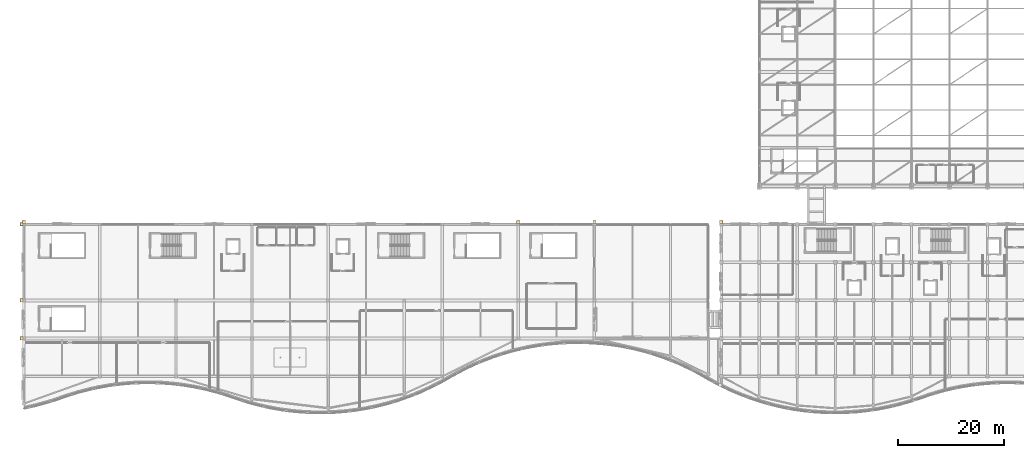
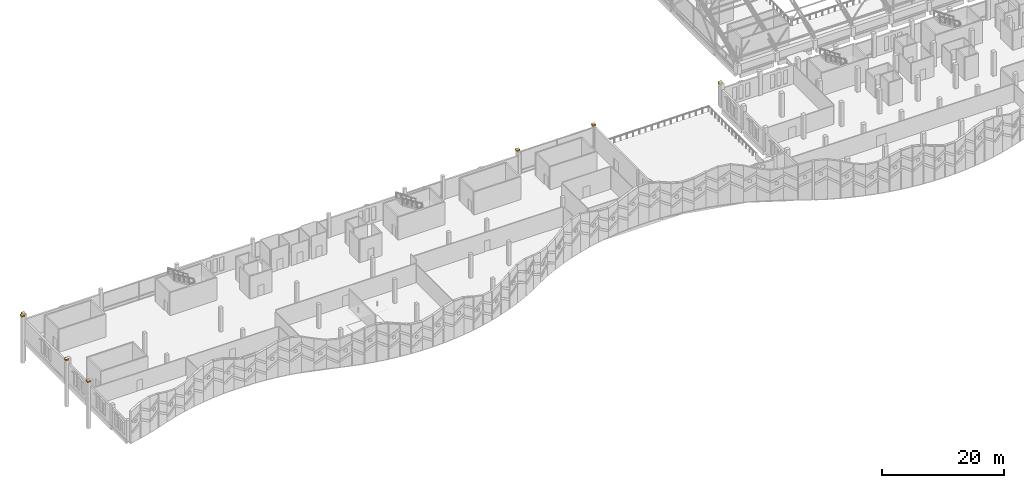
# One storey, part 116 of 116: 7 coverings.
"""IFC4 building model written with IfcOpenShell, lengths in metres."""

from ifc_helpers import new_model, si_unit, direction, frame, origin, place, context, subcontext, project, spatial, polyline, outline, extrude, material, layer, layer_set, type_object, element, save


model = new_model("IFC4")

# Units and contexts
model_context = context("Model", 3, precision=1e-05, world=origin(), true_north=direction((0.0, 1.0)))
body_context = subcontext(model_context, "Body", "Model", "MODEL_VIEW")
ifc_project = project(units=[si_unit("LENGTHUNIT", "METRE"), si_unit("AREAUNIT", "SQUARE_METRE"), si_unit("VOLUMEUNIT", "CUBIC_METRE"), si_unit("PLANEANGLEUNIT", "RADIAN"), si_unit("MASSUNIT", "GRAM", prefix="KILO")], contexts=[model_context])

# Site, building, storey
site_placement = place(None, origin())
site = spatial("IfcSite", under=ifc_project, at=site_placement, CompositionType="ELEMENT")
building_placement = place(site_placement, origin())
building = spatial("IfcBuilding", under=site, at=building_placement, Name="Cendralis Lancet Convention Centre", CompositionType="ELEMENT")
storey_placement = place(building_placement, frame((0.0, 0.0, 15.0)))
storey = spatial("IfcBuildingStorey", under=building, at=storey_placement, Name="L03", CompositionType="ELEMENT", Elevation=15.0)

# Coverings
ifc_material = material(Name="Dark Andean slate chevron cassette", Category="masonry")
ifc_layer = layer(ifc_material, 0.06005859375, Name="Dark Andean slate chevron cassette")
ifc_layer_set = layer_set([ifc_layer], Name="Dark Andean slate chevron cassette")
covering_type = type_object("IfcCoveringType", Name="ARC-CV-CLAD2", PredefinedType="CLADDING", material=ifc_layer_set)
covering_1_placement = place(storey_placement, frame((0.0, 0.0, 4.5)))
element("IfcCovering", 1, at=covering_1_placement, inside=storey, type_object=covering_type, Name="Gothic Buttress Slate Pinnacle Cap #0067", PredefinedType="CLADDING", context=body_context, shape_type="SweptSolid", body=[
    extrude(outline(polyline([(0.31005859375, 36.719970703125), (-0.31005859375, 36.719970703125), (-0.31005859375, 36.1298828125), (0.31005859375, 36.1298828125), (0.31005859375, 36.719970703125)])), origin(), (0.0, 0.0, 1.0), 0.260009765625),
])
covering_2_placement = place(storey_placement, frame((0.0, 0.0, 4.5)))
element("IfcCovering", 2, at=covering_2_placement, inside=storey, type_object=covering_type, Name="Gothic Buttress Slate Pinnacle Cap #0074", PredefinedType="CLADDING", context=body_context, shape_type="SweptSolid", body=[
    extrude(outline(polyline([(93.909912109375, 36.719970703125), (93.2900390625, 36.719970703125), (93.2900390625, 36.1298828125), (93.909912109375, 36.1298828125), (93.909912109375, 36.719970703125)])), origin(), (0.0, 0.0, 1.0), 0.260009765625),
])
covering_3_placement = place(storey_placement, frame((0.0, 0.0, 4.5)))
element("IfcCovering", 3, at=covering_3_placement, inside=storey, type_object=covering_type, Name="Gothic Buttress Slate Pinnacle Cap #0075", PredefinedType="CLADDING", context=body_context, shape_type="SweptSolid", body=[
    extrude(outline(polyline([(108.31005859375, 36.719970703125), (107.68994140625, 36.719970703125), (107.68994140625, 36.1298828125), (108.31005859375, 36.1298828125), (108.31005859375, 36.719970703125)])), origin(), (0.0, 0.0, 1.0), 0.260009765625),
])
covering_4_placement = place(storey_placement, frame((0.0, 0.0, 4.5)))
element("IfcCovering", 4, at=covering_4_placement, inside=storey, type_object=covering_type, Name="Gothic Buttress Slate Pinnacle Cap #0077", PredefinedType="CLADDING", context=body_context, shape_type="SweptSolid", body=[
    extrude(outline(polyline([(-0.719970703125, 14.7099609375), (-0.719970703125, 14.090087890625), (-0.1298828125, 14.090087890625), (-0.1298828125, 14.7099609375), (-0.719970703125, 14.7099609375)])), origin(), (0.0, 0.0, 1.0), 0.260009765625),
])
covering_5_placement = place(storey_placement, frame((0.0, 0.0, 4.5)))
element("IfcCovering", 5, at=covering_5_placement, inside=storey, type_object=covering_type, Name="Gothic Buttress Slate Pinnacle Cap #0078", PredefinedType="CLADDING", context=body_context, shape_type="SweptSolid", body=[
    extrude(outline(polyline([(-0.719970703125, 21.909912109375), (-0.719970703125, 21.2900390625), (-0.1298828125, 21.2900390625), (-0.1298828125, 21.909912109375), (-0.719970703125, 21.909912109375)])), origin(), (0.0, 0.0, 1.0), 0.260009765625),
])
covering_6_placement = place(storey_placement, frame((0.0, 0.0, 4.5)))
element("IfcCovering", 6, at=covering_6_placement, inside=storey, type_object=covering_type, Name="Gothic Buttress Slate Pinnacle Cap #0079", PredefinedType="CLADDING", context=body_context, shape_type="SweptSolid", body=[
    extrude(outline(polyline([(-0.719970703125, 36.31005859375), (-0.719970703125, 35.68994140625), (-0.1298828125, 35.68994140625), (-0.1298828125, 36.31005859375), (-0.719970703125, 36.31005859375)])), origin(), (0.0, 0.0, 1.0), 0.260009765625),
])
covering_7_placement = place(storey_placement, frame((0.0, 0.0, 4.5)))
element("IfcCovering", 7, at=covering_7_placement, inside=storey, type_object=covering_type, Name="Gothic Buttress Slate Pinnacle Cap #0080", PredefinedType="CLADDING", context=body_context, shape_type="SweptSolid", body=[
    extrude(outline(polyline([(132.31005859375, 36.719970703125), (131.68994140625, 36.719970703125), (131.68994140625, 36.1298828125), (132.31005859375, 36.1298828125), (132.31005859375, 36.719970703125)])), origin(), (0.0, 0.0, 1.0), 0.260009765625),
])

save(model, "model.ifc")
